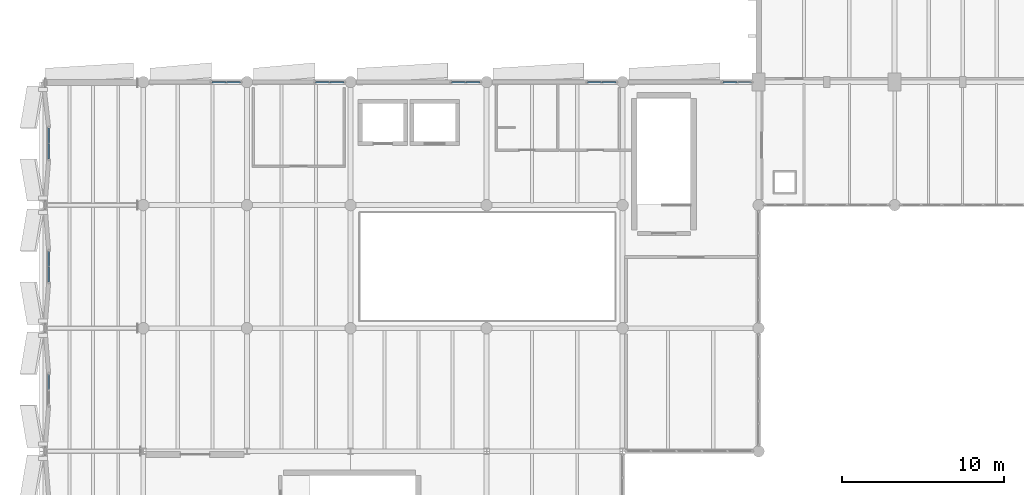
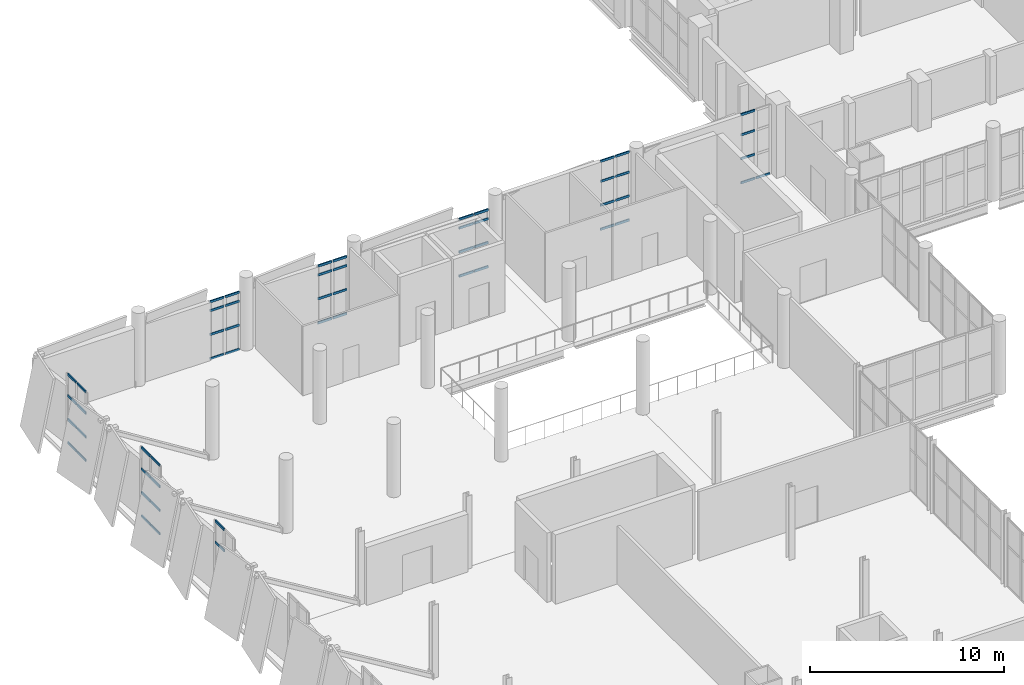
# One storey, part 47 of 74: 55 members, 8 elements without a shape of their own.
"""IFC4 building model written with IfcOpenShell, lengths in metres."""

import ifcopenshell
import ifcopenshell.guid

model = None  # the IFC model being written
_history = None  # IfcOwnerHistory: only IFC2X3 demands one
_inside = {}  # id of a spatial element -> (the spatial element, [elements in it])
_under = {}  # id of a project, library or spatial element -> (it, [spatial elements below it])
_declared = {}  # id of a project -> (the project, [libraries it declares])
_typed = {}  # id of a type object -> (the type object, [elements of that type])
_made_of = {}  # id of a material, layer set ... -> (it, [elements and type objects made of it])


def new_model(schema):
    """Start an empty IFC model of exactly this schema.

    Asked for "IFC4X3", IfcOpenShell would pick the latest addendum, in which some entities
    have other attributes; the version numbers below select the first issue.
    IFC2X3 requires an IfcOwnerHistory on every rooted entity: one is made here for all.
    """
    global model, _history
    if schema == "IFC4X3":
        model = ifcopenshell.file(schema_version=(4, 3, 0, 0))
    else:
        model = ifcopenshell.file(schema=schema)
    _inside.clear()
    _under.clear()
    _declared.clear()
    _typed.clear()
    _made_of.clear()
    _history = None
    if model.schema == "IFC2X3":
        org = make("IfcOrganization", Name="unknown")
        user = make(
            "IfcPersonAndOrganization",
            ThePerson=make("IfcPerson", FamilyName="unknown"),
            TheOrganization=org,
        )
        app = make(
            "IfcApplication",
            ApplicationDeveloper=org,
            Version="unknown",
            ApplicationFullName="unknown",
            ApplicationIdentifier="unknown",
        )
        _history = make(
            "IfcOwnerHistory",
            OwningUser=user,
            OwningApplication=app,
            ChangeAction="ADDED",
            CreationDate=0,
        )
    return model


def make(cls, **values):
    """One entity of the class cls with the attributes given. An attribute that is None is left unset."""
    return model.create_entity(
        cls, **{name: value for name, value in values.items() if value is not None}
    )


def rooted(cls, **values):
    """An entity with a GlobalId (a new one), such as an element, a storey or a relation."""
    return make(cls, GlobalId=ifcopenshell.guid.new(), OwnerHistory=_history, **values)


def si_unit(unit_type, name, prefix=None):
    """IfcSIUnit, for example si_unit("LENGTHUNIT", "METRE", prefix="MILLI")."""
    return make("IfcSIUnit", UnitType=unit_type, Prefix=prefix, Name=name)


def assignment(units):
    """IfcUnitAssignment: the units of a project."""
    return None if units is None else make("IfcUnitAssignment", Units=units)


def point(xyz):
    """IfcCartesianPoint."""
    return None if xyz is None else make("IfcCartesianPoint", Coordinates=xyz)


def direction(xyz):
    """IfcDirection."""
    return None if xyz is None else make("IfcDirection", DirectionRatios=xyz)


def frame(location, z_axis=None, x_axis=None):
    """IfcAxis2Placement3D, a coordinate frame: its origin and axes. An axis left out is left unset."""
    return make(
        "IfcAxis2Placement3D",
        Location=point(location),
        Axis=direction(z_axis),
        RefDirection=direction(x_axis),
    )


def frame_2d(location, x_axis=None):
    """IfcAxis2Placement2D, a coordinate frame in the plane: its origin and x axis."""
    return make(
        "IfcAxis2Placement2D", Location=point(location), RefDirection=direction(x_axis)
    )


def origin():
    """The frame at (0, 0, 0) with its axes left unset."""
    return frame((0.0, 0.0, 0.0))


def origin_2d():
    """The frame at (0, 0) in the plane with its x axis left unset."""
    return frame_2d((0.0, 0.0))


def place(relative_to, where):
    """IfcLocalPlacement: puts the frame where relative to a parent placement (None: the world)."""
    return make(
        "IfcLocalPlacement", PlacementRelTo=relative_to, RelativePlacement=where
    )


def context(
    kind, dimensions, precision=None, world=None, true_north=None, identifier=None
):
    """IfcGeometricRepresentationContext, for example the 3D "Model" context."""
    return make(
        "IfcGeometricRepresentationContext",
        ContextIdentifier=identifier,
        ContextType=kind,
        CoordinateSpaceDimension=dimensions,
        Precision=precision,
        WorldCoordinateSystem=world,
        TrueNorth=true_north,
    )


def subcontext(parent, identifier, kind, view, scale=None):
    """IfcGeometricRepresentationSubContext, for example "Body" below "Model"."""
    return make(
        "IfcGeometricRepresentationSubContext",
        ContextIdentifier=identifier,
        ContextType=kind,
        ParentContext=parent,
        TargetScale=scale,
        TargetView=view,
    )


def project(units=None, contexts=None):
    """IfcProject with its units and contexts."""
    return rooted(
        "IfcProject",
        Name="project",
        RepresentationContexts=contexts,
        UnitsInContext=assignment(units),
    )


def spatial(cls, under=None, at=None, **own):
    """A site, building, storey or space (cls), placed at a placement, below another one or the project."""
    s = rooted(cls, ObjectPlacement=at, **own)
    if under is not None:
        _under.setdefault(under.id(), (under, []))[1].append(s)
    return s


def profile(cls, at=None, kind="AREA", **sizes):
    """A parametric profile (cls). Its sizes go by their IFC names, for example OverallWidth=200.0."""
    return make(cls, ProfileType=kind, Position=at, **sizes)


def hollow_rectangle(**sizes):
    """IfcRectangleHollowProfileDef."""
    return profile("IfcRectangleHollowProfileDef", **sizes)


def extrude(swept, where, along, depth):
    """IfcExtrudedAreaSolid: the profile swept, set in the frame where, extruded along a direction by depth."""
    return make(
        "IfcExtrudedAreaSolid",
        SweptArea=swept,
        Position=where,
        ExtrudedDirection=direction(along),
        Depth=depth,
    )


def shape(context_of_items, identifier, shape_type, items):
    """IfcShapeRepresentation: the items that make up one representation, for example the "Body"."""
    return make(
        "IfcShapeRepresentation",
        ContextOfItems=context_of_items,
        RepresentationIdentifier=identifier,
        RepresentationType=shape_type,
        Items=items,
    )


def material(Name=None, Category=None):
    """IfcMaterial."""
    return make("IfcMaterial", Name=Name, Category=Category)


def material_profile(
    of_material, cross_section, Name=None, Category=None, Priority=None
):
    """IfcMaterialProfile: a cross section and its material."""
    return make(
        "IfcMaterialProfile",
        Name=Name,
        Material=of_material,
        Profile=cross_section,
        Priority=Priority,
        Category=Category,
    )


def profile_set(profiles, Name=None, composite=None):
    """IfcMaterialProfileSet."""
    return make(
        "IfcMaterialProfileSet",
        Name=Name,
        MaterialProfiles=profiles,
        CompositeProfile=composite,
    )


def made_of(thing, what):
    """Note that an element or type object is made of a material, layer set ...; save() writes the relation."""
    if what is not None:
        _made_of.setdefault(what.id(), (what, []))[1].append(thing)
    return thing


def type_object(cls, material=None, **own):
    """A type object (cls), such as IfcWallType, which elements share."""
    return made_of(rooted(cls, **own), material)


def element(
    cls,
    number,
    at=None,
    inside=None,
    cuts=None,
    type_object=None,
    material=None,
    context=None,
    identifier="Body",
    shape_type=None,
    held_by="IfcProductDefinitionShape",
    body=None,
    shapes=None,
    **own,
):
    """One element of the class cls, such as IfcWall. Its Tag is "e" and its number.

    at: its placement. inside: the storey or other place that contains it. cuts: it is an
    opening in that element (IfcRelVoidsElement). A single representation is given by context,
    identifier, shape_type and body (its items); several are given by shapes. held_by: the class
    of the entity that holds the representations. save() writes the other relations.
    """
    e = rooted(cls, Tag="e%d" % number, ObjectPlacement=at, **own)
    if body is not None:
        shapes = [shape(context, identifier, shape_type, body)]
    if shapes is not None:
        e.Representation = make(held_by, Representations=shapes)
    if inside is not None:
        _inside.setdefault(inside.id(), (inside, []))[1].append(e)
    if cuts is not None:
        rooted(
            "IfcRelVoidsElement", RelatingBuildingElement=cuts, RelatedOpeningElement=e
        )
    if type_object is not None:
        _typed.setdefault(type_object.id(), (type_object, []))[1].append(e)
    return made_of(e, material)


def aggregate(whole, parts):
    """IfcRelAggregates: a whole, such as a stair, and the parts it consists of."""
    return rooted("IfcRelAggregates", RelatingObject=whole, RelatedObjects=parts)


def save(model, path):
    """Write the relations noted so far, then the file.

    IfcRelAggregates (storeys below a building ...), IfcRelContainedInSpatialStructure (elements
    in a storey), IfcRelDefinesByType, IfcRelAssociatesMaterial and IfcRelDeclares: one each for
    every whole, place, type object, material and project.
    """
    for whole, parts in _under.values():
        aggregate(whole, parts)
    for where, things in _inside.values():
        rooted(
            "IfcRelContainedInSpatialStructure",
            RelatedElements=things,
            RelatingStructure=where,
        )
    for kind, things in _typed.values():
        rooted("IfcRelDefinesByType", RelatedObjects=things, RelatingType=kind)
    for what, things in _made_of.values():
        rooted("IfcRelAssociatesMaterial", RelatedObjects=things, RelatingMaterial=what)
    for by, libraries in _declared.values():
        rooted("IfcRelDeclares", RelatingContext=by, RelatedDefinitions=libraries)
    model.write(path)


model = new_model("IFC4")

# Units and contexts
model_context = context("Model", 3, precision=1e-05, world=origin(), true_north=direction((0.0, 1.0)))
body_context = subcontext(model_context, "Body", "Model", "MODEL_VIEW")
ifc_project = project(units=[si_unit("LENGTHUNIT", "METRE"), si_unit("AREAUNIT", "SQUARE_METRE"), si_unit("VOLUMEUNIT", "CUBIC_METRE"), si_unit("PLANEANGLEUNIT", "RADIAN"), si_unit("MASSUNIT", "GRAM", prefix="KILO")], contexts=[model_context])

# Site, building, storey
site_placement = place(None, origin())
site = spatial("IfcSite", under=ifc_project, at=site_placement, CompositionType="ELEMENT")
building_placement = place(site_placement, origin())
building = spatial("IfcBuilding", under=site, at=building_placement, Name="Shengluoqiao Park Theatre", CompositionType="ELEMENT")
storey_placement = place(building_placement, frame((0.0, 0.0, 14.60009765625)))
storey = spatial("IfcBuildingStorey", under=building, at=storey_placement, Name="L03", CompositionType="ELEMENT", Elevation=14.60009765625)

# Curtain wall, members
ifc_material = material(Name="Aluminium 6063-T6", Category="aluminium")
curtain_wall_type = type_object("IfcCurtainWallType", Name="ENV-CW-FOYER", PredefinedType="NOTDEFINED", material=ifc_material)
curtain_wall_1_placement = place(storey_placement, origin())
curtain_wall_1 = element("IfcCurtainWall", 1, at=curtain_wall_1_placement, inside=storey, type_object=curtain_wall_type, Name="L03 Curtain Wall CW-L03-0076", PredefinedType="NOTDEFINED")
ifc_material_profile = material_profile(ifc_material, hollow_rectangle(XDim=0.06494140625, YDim=0.14990234375, WallThickness=0.00390625, InnerFilletRadius=0.00390625, OuterFilletRadius=0.008056640625, at=origin_2d()), Name="ALU TRANSOM 150x65x4")
ifc_profile_set = profile_set([ifc_material_profile], Name="Aluminium 6063-T6")
member_type = type_object("IfcMemberType", Name="ENV-TRN-150", PredefinedType="USERDEFINED", material=ifc_profile_set)
member_1_placement = place(storey_placement, frame((10.65087890625, 76.0, 0.032470703125), z_axis=(1.0, 0.0, 0.0), x_axis=(0.0, 1.0, 0.0)))
member_1 = element("IfcMember", 2, at=member_1_placement, type_object=member_type, Name="CW-01 transom 1.1", ObjectType="TRANSOM", PredefinedType="USERDEFINED", context=body_context, shape_type="SweptSolid", body=[
    extrude(hollow_rectangle(XDim=0.06494140625, YDim=0.14990234375, WallThickness=0.00390625, InnerFilletRadius=0.00390625, OuterFilletRadius=0.008056640625, at=origin_2d()), origin(), (0.0, 0.0, 1.0), 0.83251953125),
])
member_2_placement = place(storey_placement, frame((10.65087890625, 76.0, 1.5498046875), z_axis=(1.0, 0.0, 0.0), x_axis=(0.0, 1.0, 0.0)))
member_2 = element("IfcMember", 3, at=member_2_placement, type_object=member_type, Name="CW-01 transom 1.2", ObjectType="TRANSOM", PredefinedType="USERDEFINED", context=body_context, shape_type="SweptSolid", body=[
    extrude(hollow_rectangle(XDim=0.06494140625, YDim=0.14990234375, WallThickness=0.00390625, InnerFilletRadius=0.00390625, OuterFilletRadius=0.008056640625, at=origin_2d()), origin(), (0.0, 0.0, 1.0), 0.83251953125),
])
member_3_placement = place(storey_placement, frame((10.65087890625, 76.0, 3.0498046875), z_axis=(1.0, 0.0, 0.0), x_axis=(0.0, 1.0, 0.0)))
member_3 = element("IfcMember", 4, at=member_3_placement, type_object=member_type, Name="CW-01 transom 1.3", ObjectType="TRANSOM", PredefinedType="USERDEFINED", context=body_context, shape_type="SweptSolid", body=[
    extrude(hollow_rectangle(XDim=0.06494140625, YDim=0.14990234375, WallThickness=0.00390625, InnerFilletRadius=0.00390625, OuterFilletRadius=0.008056640625, at=origin_2d()), origin(), (0.0, 0.0, 1.0), 0.83251953125),
])
member_4_placement = place(storey_placement, frame((10.65087890625, 76.0, 3.60546875), z_axis=(1.0, 0.0, 0.0), x_axis=(0.0, 1.0, 0.0)))
member_4 = element("IfcMember", 5, at=member_4_placement, type_object=member_type, Name="CW-01 transom 1.4", ObjectType="TRANSOM", PredefinedType="USERDEFINED", context=body_context, shape_type="SweptSolid", body=[
    extrude(hollow_rectangle(XDim=0.06494140625, YDim=0.14990234375, WallThickness=0.00390625, InnerFilletRadius=0.00390625, OuterFilletRadius=0.008056640625, at=origin_2d()), origin(), (0.0, 0.0, 1.0), 0.83251953125),
])
member_5_placement = place(storey_placement, frame((11.548583984375, 76.0, 0.032470703125), z_axis=(1.0, 0.0, 0.0), x_axis=(0.0, 1.0, 0.0)))
member_5 = element("IfcMember", 6, at=member_5_placement, type_object=member_type, Name="CW-01 transom 2.1", ObjectType="TRANSOM", PredefinedType="USERDEFINED", context=body_context, shape_type="SweptSolid", body=[
    extrude(hollow_rectangle(XDim=0.06494140625, YDim=0.14990234375, WallThickness=0.00390625, InnerFilletRadius=0.00390625, OuterFilletRadius=0.008056640625, at=origin_2d()), origin(), (0.0, 0.0, 1.0), 0.83251953125),
])
member_6_placement = place(storey_placement, frame((11.548583984375, 76.0, 1.5498046875), z_axis=(1.0, 0.0, 0.0), x_axis=(0.0, 1.0, 0.0)))
member_6 = element("IfcMember", 7, at=member_6_placement, type_object=member_type, Name="CW-01 transom 2.2", ObjectType="TRANSOM", PredefinedType="USERDEFINED", context=body_context, shape_type="SweptSolid", body=[
    extrude(hollow_rectangle(XDim=0.06494140625, YDim=0.14990234375, WallThickness=0.00390625, InnerFilletRadius=0.00390625, OuterFilletRadius=0.008056640625, at=origin_2d()), origin(), (0.0, 0.0, 1.0), 0.83251953125),
])
member_7_placement = place(storey_placement, frame((11.548583984375, 76.0, 3.0498046875), z_axis=(1.0, 0.0, 0.0), x_axis=(0.0, 1.0, 0.0)))
member_7 = element("IfcMember", 8, at=member_7_placement, type_object=member_type, Name="CW-01 transom 2.3", ObjectType="TRANSOM", PredefinedType="USERDEFINED", context=body_context, shape_type="SweptSolid", body=[
    extrude(hollow_rectangle(XDim=0.06494140625, YDim=0.14990234375, WallThickness=0.00390625, InnerFilletRadius=0.00390625, OuterFilletRadius=0.008056640625, at=origin_2d()), origin(), (0.0, 0.0, 1.0), 0.83251953125),
])
member_8_placement = place(storey_placement, frame((11.548583984375, 76.0, 3.60546875), z_axis=(1.0, 0.0, 0.0), x_axis=(0.0, 1.0, 0.0)))
member_8 = element("IfcMember", 9, at=member_8_placement, type_object=member_type, Name="CW-01 transom 2.4", ObjectType="TRANSOM", PredefinedType="USERDEFINED", context=body_context, shape_type="SweptSolid", body=[
    extrude(hollow_rectangle(XDim=0.06494140625, YDim=0.14990234375, WallThickness=0.00390625, InnerFilletRadius=0.00390625, OuterFilletRadius=0.008056640625, at=origin_2d()), origin(), (0.0, 0.0, 1.0), 0.83251953125),
])
aggregate(curtain_wall_1, [member_1, member_2, member_3, member_4, member_5, member_6, member_7, member_8])

curtain_wall_2_placement = place(storey_placement, origin())
curtain_wall_2 = element("IfcCurtainWall", 10, at=curtain_wall_2_placement, inside=storey, type_object=curtain_wall_type, Name="L03 Curtain Wall CW-L03-0077", PredefinedType="NOTDEFINED")
member_9_placement = place(storey_placement, frame((17.051025390625, 76.0, 0.032470703125), z_axis=(1.0, 0.0, 0.0), x_axis=(0.0, 1.0, 0.0)))
member_9 = element("IfcMember", 11, at=member_9_placement, type_object=member_type, Name="CW-01 transom 1.1", ObjectType="TRANSOM", PredefinedType="USERDEFINED", context=body_context, shape_type="SweptSolid", body=[
    extrude(hollow_rectangle(XDim=0.06494140625, YDim=0.14990234375, WallThickness=0.00390625, InnerFilletRadius=0.00390625, OuterFilletRadius=0.008056640625, at=origin_2d()), origin(), (0.0, 0.0, 1.0), 0.83251953125),
])
member_10_placement = place(storey_placement, frame((17.051025390625, 76.0, 1.5498046875), z_axis=(1.0, 0.0, 0.0), x_axis=(0.0, 1.0, 0.0)))
member_10 = element("IfcMember", 12, at=member_10_placement, type_object=member_type, Name="CW-01 transom 1.2", ObjectType="TRANSOM", PredefinedType="USERDEFINED", context=body_context, shape_type="SweptSolid", body=[
    extrude(hollow_rectangle(XDim=0.06494140625, YDim=0.14990234375, WallThickness=0.00390625, InnerFilletRadius=0.00390625, OuterFilletRadius=0.008056640625, at=origin_2d()), origin(), (0.0, 0.0, 1.0), 0.83251953125),
])
member_11_placement = place(storey_placement, frame((17.051025390625, 76.0, 3.0498046875), z_axis=(1.0, 0.0, 0.0), x_axis=(0.0, 1.0, 0.0)))
member_11 = element("IfcMember", 13, at=member_11_placement, type_object=member_type, Name="CW-01 transom 1.3", ObjectType="TRANSOM", PredefinedType="USERDEFINED", context=body_context, shape_type="SweptSolid", body=[
    extrude(hollow_rectangle(XDim=0.06494140625, YDim=0.14990234375, WallThickness=0.00390625, InnerFilletRadius=0.00390625, OuterFilletRadius=0.008056640625, at=origin_2d()), origin(), (0.0, 0.0, 1.0), 0.83251953125),
])
member_12_placement = place(storey_placement, frame((17.051025390625, 76.0, 3.60546875), z_axis=(1.0, 0.0, 0.0), x_axis=(0.0, 1.0, 0.0)))
member_12 = element("IfcMember", 14, at=member_12_placement, type_object=member_type, Name="CW-01 transom 1.4", ObjectType="TRANSOM", PredefinedType="USERDEFINED", context=body_context, shape_type="SweptSolid", body=[
    extrude(hollow_rectangle(XDim=0.06494140625, YDim=0.14990234375, WallThickness=0.00390625, InnerFilletRadius=0.00390625, OuterFilletRadius=0.008056640625, at=origin_2d()), origin(), (0.0, 0.0, 1.0), 0.83251953125),
])
member_13_placement = place(storey_placement, frame((17.948486328125, 76.0, 0.032470703125), z_axis=(1.0, 0.0, 0.0), x_axis=(0.0, 1.0, 0.0)))
member_13 = element("IfcMember", 15, at=member_13_placement, type_object=member_type, Name="CW-01 transom 2.1", ObjectType="TRANSOM", PredefinedType="USERDEFINED", context=body_context, shape_type="SweptSolid", body=[
    extrude(hollow_rectangle(XDim=0.06494140625, YDim=0.14990234375, WallThickness=0.00390625, InnerFilletRadius=0.00390625, OuterFilletRadius=0.008056640625, at=origin_2d()), origin(), (0.0, 0.0, 1.0), 0.83251953125),
])
member_14_placement = place(storey_placement, frame((17.948486328125, 76.0, 1.5498046875), z_axis=(1.0, 0.0, 0.0), x_axis=(0.0, 1.0, 0.0)))
member_14 = element("IfcMember", 16, at=member_14_placement, type_object=member_type, Name="CW-01 transom 2.2", ObjectType="TRANSOM", PredefinedType="USERDEFINED", context=body_context, shape_type="SweptSolid", body=[
    extrude(hollow_rectangle(XDim=0.06494140625, YDim=0.14990234375, WallThickness=0.00390625, InnerFilletRadius=0.00390625, OuterFilletRadius=0.008056640625, at=origin_2d()), origin(), (0.0, 0.0, 1.0), 0.83251953125),
])
member_15_placement = place(storey_placement, frame((17.948486328125, 76.0, 3.0498046875), z_axis=(1.0, 0.0, 0.0), x_axis=(0.0, 1.0, 0.0)))
member_15 = element("IfcMember", 17, at=member_15_placement, type_object=member_type, Name="CW-01 transom 2.3", ObjectType="TRANSOM", PredefinedType="USERDEFINED", context=body_context, shape_type="SweptSolid", body=[
    extrude(hollow_rectangle(XDim=0.06494140625, YDim=0.14990234375, WallThickness=0.00390625, InnerFilletRadius=0.00390625, OuterFilletRadius=0.008056640625, at=origin_2d()), origin(), (0.0, 0.0, 1.0), 0.83251953125),
])
member_16_placement = place(storey_placement, frame((17.948486328125, 76.0, 3.60546875), z_axis=(1.0, 0.0, 0.0), x_axis=(0.0, 1.0, 0.0)))
member_16 = element("IfcMember", 18, at=member_16_placement, type_object=member_type, Name="CW-01 transom 2.4", ObjectType="TRANSOM", PredefinedType="USERDEFINED", context=body_context, shape_type="SweptSolid", body=[
    extrude(hollow_rectangle(XDim=0.06494140625, YDim=0.14990234375, WallThickness=0.00390625, InnerFilletRadius=0.00390625, OuterFilletRadius=0.008056640625, at=origin_2d()), origin(), (0.0, 0.0, 1.0), 0.83251953125),
])
aggregate(curtain_wall_2, [member_9, member_10, member_11, member_12, member_13, member_14, member_15, member_16])

curtain_wall_3_placement = place(storey_placement, origin())
curtain_wall_3 = element("IfcCurtainWall", 19, at=curtain_wall_3_placement, inside=storey, type_object=curtain_wall_type, Name="L03 Curtain Wall CW-L03-0078", PredefinedType="NOTDEFINED")
member_17_placement = place(storey_placement, frame((25.450927734375, 76.0, 0.032470703125), z_axis=(1.0, 0.0, 0.0), x_axis=(0.0, 1.0, 0.0)))
member_17 = element("IfcMember", 20, at=member_17_placement, type_object=member_type, Name="CW-01 transom 1.1", ObjectType="TRANSOM", PredefinedType="USERDEFINED", context=body_context, shape_type="SweptSolid", body=[
    extrude(hollow_rectangle(XDim=0.06494140625, YDim=0.14990234375, WallThickness=0.00390625, InnerFilletRadius=0.00390625, OuterFilletRadius=0.008056640625, at=origin_2d()), origin(), (0.0, 0.0, 1.0), 0.83251953125),
])
member_18_placement = place(storey_placement, frame((25.450927734375, 76.0, 1.5498046875), z_axis=(1.0, 0.0, 0.0), x_axis=(0.0, 1.0, 0.0)))
member_18 = element("IfcMember", 21, at=member_18_placement, type_object=member_type, Name="CW-01 transom 1.2", ObjectType="TRANSOM", PredefinedType="USERDEFINED", context=body_context, shape_type="SweptSolid", body=[
    extrude(hollow_rectangle(XDim=0.06494140625, YDim=0.14990234375, WallThickness=0.00390625, InnerFilletRadius=0.00390625, OuterFilletRadius=0.008056640625, at=origin_2d()), origin(), (0.0, 0.0, 1.0), 0.83251953125),
])
member_19_placement = place(storey_placement, frame((25.450927734375, 76.0, 3.0498046875), z_axis=(1.0, 0.0, 0.0), x_axis=(0.0, 1.0, 0.0)))
member_19 = element("IfcMember", 22, at=member_19_placement, type_object=member_type, Name="CW-01 transom 1.3", ObjectType="TRANSOM", PredefinedType="USERDEFINED", context=body_context, shape_type="SweptSolid", body=[
    extrude(hollow_rectangle(XDim=0.06494140625, YDim=0.14990234375, WallThickness=0.00390625, InnerFilletRadius=0.00390625, OuterFilletRadius=0.008056640625, at=origin_2d()), origin(), (0.0, 0.0, 1.0), 0.83251953125),
])
member_20_placement = place(storey_placement, frame((25.450927734375, 76.0, 3.60546875), z_axis=(1.0, 0.0, 0.0), x_axis=(0.0, 1.0, 0.0)))
member_20 = element("IfcMember", 23, at=member_20_placement, type_object=member_type, Name="CW-01 transom 1.4", ObjectType="TRANSOM", PredefinedType="USERDEFINED", context=body_context, shape_type="SweptSolid", body=[
    extrude(hollow_rectangle(XDim=0.06494140625, YDim=0.14990234375, WallThickness=0.00390625, InnerFilletRadius=0.00390625, OuterFilletRadius=0.008056640625, at=origin_2d()), origin(), (0.0, 0.0, 1.0), 0.83251953125),
])
member_21_placement = place(storey_placement, frame((26.348388671875, 76.0, 0.032470703125), z_axis=(1.0, 0.0, 0.0), x_axis=(0.0, 1.0, 0.0)))
member_21 = element("IfcMember", 24, at=member_21_placement, type_object=member_type, Name="CW-01 transom 2.1", ObjectType="TRANSOM", PredefinedType="USERDEFINED", context=body_context, shape_type="SweptSolid", body=[
    extrude(hollow_rectangle(XDim=0.06494140625, YDim=0.14990234375, WallThickness=0.00390625, InnerFilletRadius=0.00390625, OuterFilletRadius=0.008056640625, at=origin_2d()), origin(), (0.0, 0.0, 1.0), 0.83251953125),
])
member_22_placement = place(storey_placement, frame((26.348388671875, 76.0, 1.5498046875), z_axis=(1.0, 0.0, 0.0), x_axis=(0.0, 1.0, 0.0)))
member_22 = element("IfcMember", 25, at=member_22_placement, type_object=member_type, Name="CW-01 transom 2.2", ObjectType="TRANSOM", PredefinedType="USERDEFINED", context=body_context, shape_type="SweptSolid", body=[
    extrude(hollow_rectangle(XDim=0.06494140625, YDim=0.14990234375, WallThickness=0.00390625, InnerFilletRadius=0.00390625, OuterFilletRadius=0.008056640625, at=origin_2d()), origin(), (0.0, 0.0, 1.0), 0.83251953125),
])
member_23_placement = place(storey_placement, frame((26.348388671875, 76.0, 3.0498046875), z_axis=(1.0, 0.0, 0.0), x_axis=(0.0, 1.0, 0.0)))
member_23 = element("IfcMember", 26, at=member_23_placement, type_object=member_type, Name="CW-01 transom 2.3", ObjectType="TRANSOM", PredefinedType="USERDEFINED", context=body_context, shape_type="SweptSolid", body=[
    extrude(hollow_rectangle(XDim=0.06494140625, YDim=0.14990234375, WallThickness=0.00390625, InnerFilletRadius=0.00390625, OuterFilletRadius=0.008056640625, at=origin_2d()), origin(), (0.0, 0.0, 1.0), 0.83251953125),
])
member_24_placement = place(storey_placement, frame((26.348388671875, 76.0, 3.60546875), z_axis=(1.0, 0.0, 0.0), x_axis=(0.0, 1.0, 0.0)))
member_24 = element("IfcMember", 27, at=member_24_placement, type_object=member_type, Name="CW-01 transom 2.4", ObjectType="TRANSOM", PredefinedType="USERDEFINED", context=body_context, shape_type="SweptSolid", body=[
    extrude(hollow_rectangle(XDim=0.06494140625, YDim=0.14990234375, WallThickness=0.00390625, InnerFilletRadius=0.00390625, OuterFilletRadius=0.008056640625, at=origin_2d()), origin(), (0.0, 0.0, 1.0), 0.83251953125),
])
aggregate(curtain_wall_3, [member_17, member_18, member_19, member_20, member_21, member_22, member_23, member_24])

curtain_wall_4_placement = place(storey_placement, origin())
curtain_wall_4 = element("IfcCurtainWall", 28, at=curtain_wall_4_placement, inside=storey, type_object=curtain_wall_type, Name="L03 Curtain Wall CW-L03-0079", PredefinedType="NOTDEFINED")
member_25_placement = place(storey_placement, frame((33.85107421875, 76.0, 0.032470703125), z_axis=(1.0, 0.0, 0.0), x_axis=(0.0, 1.0, 0.0)))
member_25 = element("IfcMember", 29, at=member_25_placement, type_object=member_type, Name="CW-01 transom 1.1", ObjectType="TRANSOM", PredefinedType="USERDEFINED", context=body_context, shape_type="SweptSolid", body=[
    extrude(hollow_rectangle(XDim=0.06494140625, YDim=0.14990234375, WallThickness=0.00390625, InnerFilletRadius=0.00390625, OuterFilletRadius=0.008056640625, at=origin_2d()), origin(), (0.0, 0.0, 1.0), 0.83251953125),
])
member_26_placement = place(storey_placement, frame((33.85107421875, 76.0, 1.5498046875), z_axis=(1.0, 0.0, 0.0), x_axis=(0.0, 1.0, 0.0)))
member_26 = element("IfcMember", 30, at=member_26_placement, type_object=member_type, Name="CW-01 transom 1.2", ObjectType="TRANSOM", PredefinedType="USERDEFINED", context=body_context, shape_type="SweptSolid", body=[
    extrude(hollow_rectangle(XDim=0.06494140625, YDim=0.14990234375, WallThickness=0.00390625, InnerFilletRadius=0.00390625, OuterFilletRadius=0.008056640625, at=origin_2d()), origin(), (0.0, 0.0, 1.0), 0.83251953125),
])
member_27_placement = place(storey_placement, frame((33.85107421875, 76.0, 3.0498046875), z_axis=(1.0, 0.0, 0.0), x_axis=(0.0, 1.0, 0.0)))
member_27 = element("IfcMember", 31, at=member_27_placement, type_object=member_type, Name="CW-01 transom 1.3", ObjectType="TRANSOM", PredefinedType="USERDEFINED", context=body_context, shape_type="SweptSolid", body=[
    extrude(hollow_rectangle(XDim=0.06494140625, YDim=0.14990234375, WallThickness=0.00390625, InnerFilletRadius=0.00390625, OuterFilletRadius=0.008056640625, at=origin_2d()), origin(), (0.0, 0.0, 1.0), 0.83251953125),
])
member_28_placement = place(storey_placement, frame((33.85107421875, 76.0, 4.307373046875), z_axis=(1.0, 0.0, 0.0), x_axis=(0.0, 1.0, 0.0)))
member_28 = element("IfcMember", 32, at=member_28_placement, type_object=member_type, Name="CW-01 transom 1.4", ObjectType="TRANSOM", PredefinedType="USERDEFINED", context=body_context, shape_type="SweptSolid", body=[
    extrude(hollow_rectangle(XDim=0.06494140625, YDim=0.14990234375, WallThickness=0.00390625, InnerFilletRadius=0.00390625, OuterFilletRadius=0.008056640625, at=origin_2d()), origin(), (0.0, 0.0, 1.0), 0.83251953125),
])
member_29_placement = place(storey_placement, frame((34.74853515625, 76.0, 0.032470703125), z_axis=(1.0, 0.0, 0.0), x_axis=(0.0, 1.0, 0.0)))
member_29 = element("IfcMember", 33, at=member_29_placement, type_object=member_type, Name="CW-01 transom 2.1", ObjectType="TRANSOM", PredefinedType="USERDEFINED", context=body_context, shape_type="SweptSolid", body=[
    extrude(hollow_rectangle(XDim=0.06494140625, YDim=0.14990234375, WallThickness=0.00390625, InnerFilletRadius=0.00390625, OuterFilletRadius=0.008056640625, at=origin_2d()), origin(), (0.0, 0.0, 1.0), 0.83251953125),
])
member_30_placement = place(storey_placement, frame((34.74853515625, 76.0, 1.5498046875), z_axis=(1.0, 0.0, 0.0), x_axis=(0.0, 1.0, 0.0)))
member_30 = element("IfcMember", 34, at=member_30_placement, type_object=member_type, Name="CW-01 transom 2.2", ObjectType="TRANSOM", PredefinedType="USERDEFINED", context=body_context, shape_type="SweptSolid", body=[
    extrude(hollow_rectangle(XDim=0.06494140625, YDim=0.14990234375, WallThickness=0.00390625, InnerFilletRadius=0.00390625, OuterFilletRadius=0.008056640625, at=origin_2d()), origin(), (0.0, 0.0, 1.0), 0.83251953125),
])
member_31_placement = place(storey_placement, frame((34.74853515625, 76.0, 3.0498046875), z_axis=(1.0, 0.0, 0.0), x_axis=(0.0, 1.0, 0.0)))
member_31 = element("IfcMember", 35, at=member_31_placement, type_object=member_type, Name="CW-01 transom 2.3", ObjectType="TRANSOM", PredefinedType="USERDEFINED", context=body_context, shape_type="SweptSolid", body=[
    extrude(hollow_rectangle(XDim=0.06494140625, YDim=0.14990234375, WallThickness=0.00390625, InnerFilletRadius=0.00390625, OuterFilletRadius=0.008056640625, at=origin_2d()), origin(), (0.0, 0.0, 1.0), 0.83251953125),
])
member_32_placement = place(storey_placement, frame((34.74853515625, 76.0, 4.307373046875), z_axis=(1.0, 0.0, 0.0), x_axis=(0.0, 1.0, 0.0)))
member_32 = element("IfcMember", 36, at=member_32_placement, type_object=member_type, Name="CW-01 transom 2.4", ObjectType="TRANSOM", PredefinedType="USERDEFINED", context=body_context, shape_type="SweptSolid", body=[
    extrude(hollow_rectangle(XDim=0.06494140625, YDim=0.14990234375, WallThickness=0.00390625, InnerFilletRadius=0.00390625, OuterFilletRadius=0.008056640625, at=origin_2d()), origin(), (0.0, 0.0, 1.0), 0.83251953125),
])
aggregate(curtain_wall_4, [member_25, member_26, member_27, member_28, member_29, member_30, member_31, member_32])

curtain_wall_5_placement = place(storey_placement, origin())
curtain_wall_5 = element("IfcCurtainWall", 37, at=curtain_wall_5_placement, inside=storey, type_object=curtain_wall_type, Name="L03 Curtain Wall CW-L03-0080", PredefinedType="NOTDEFINED")
member_33_placement = place(storey_placement, frame((42.200927734375, 76.0, 0.032470703125), z_axis=(1.0, 0.0, 0.0), x_axis=(0.0, 1.0, 0.0)))
member_33 = element("IfcMember", 38, at=member_33_placement, type_object=member_type, Name="CW-01 transom 1.1", ObjectType="TRANSOM", PredefinedType="USERDEFINED", context=body_context, shape_type="SweptSolid", body=[
    extrude(hollow_rectangle(XDim=0.06494140625, YDim=0.14990234375, WallThickness=0.00390625, InnerFilletRadius=0.00390625, OuterFilletRadius=0.008056640625, at=origin_2d()), origin(), (0.0, 0.0, 1.0), 0.83251953125),
])
member_34_placement = place(storey_placement, frame((42.200927734375, 76.0, 1.5498046875), z_axis=(1.0, 0.0, 0.0), x_axis=(0.0, 1.0, 0.0)))
member_34 = element("IfcMember", 39, at=member_34_placement, type_object=member_type, Name="CW-01 transom 1.2", ObjectType="TRANSOM", PredefinedType="USERDEFINED", context=body_context, shape_type="SweptSolid", body=[
    extrude(hollow_rectangle(XDim=0.06494140625, YDim=0.14990234375, WallThickness=0.00390625, InnerFilletRadius=0.00390625, OuterFilletRadius=0.008056640625, at=origin_2d()), origin(), (0.0, 0.0, 1.0), 0.83251953125),
])
member_35_placement = place(storey_placement, frame((42.200927734375, 76.0, 3.0498046875), z_axis=(1.0, 0.0, 0.0), x_axis=(0.0, 1.0, 0.0)))
member_35 = element("IfcMember", 40, at=member_35_placement, type_object=member_type, Name="CW-01 transom 1.3", ObjectType="TRANSOM", PredefinedType="USERDEFINED", context=body_context, shape_type="SweptSolid", body=[
    extrude(hollow_rectangle(XDim=0.06494140625, YDim=0.14990234375, WallThickness=0.00390625, InnerFilletRadius=0.00390625, OuterFilletRadius=0.008056640625, at=origin_2d()), origin(), (0.0, 0.0, 1.0), 0.83251953125),
])
member_36_placement = place(storey_placement, frame((42.200927734375, 76.0, 4.307373046875), z_axis=(1.0, 0.0, 0.0), x_axis=(0.0, 1.0, 0.0)))
member_36 = element("IfcMember", 41, at=member_36_placement, type_object=member_type, Name="CW-01 transom 1.4", ObjectType="TRANSOM", PredefinedType="USERDEFINED", context=body_context, shape_type="SweptSolid", body=[
    extrude(hollow_rectangle(XDim=0.06494140625, YDim=0.14990234375, WallThickness=0.00390625, InnerFilletRadius=0.00390625, OuterFilletRadius=0.008056640625, at=origin_2d()), origin(), (0.0, 0.0, 1.0), 0.83251953125),
])
member_37_placement = place(storey_placement, frame((43.098388671875, 76.0, 0.032470703125), z_axis=(1.0, 0.0, 0.0), x_axis=(0.0, 1.0, 0.0)))
member_37 = element("IfcMember", 42, at=member_37_placement, type_object=member_type, Name="CW-01 transom 2.1", ObjectType="TRANSOM", PredefinedType="USERDEFINED", context=body_context, shape_type="SweptSolid", body=[
    extrude(hollow_rectangle(XDim=0.06494140625, YDim=0.14990234375, WallThickness=0.00390625, InnerFilletRadius=0.00390625, OuterFilletRadius=0.008056640625, at=origin_2d()), origin(), (0.0, 0.0, 1.0), 0.83251953125),
])
aggregate(curtain_wall_5, [member_33, member_34, member_35, member_36, member_37])

curtain_wall_6_placement = place(storey_placement, origin())
curtain_wall_6 = element("IfcCurtainWall", 43, at=curtain_wall_6_placement, inside=storey, type_object=curtain_wall_type, Name="L03 Curtain Wall CW-L03-SLIT-0247", PredefinedType="NOTDEFINED")
member_38_placement = place(storey_placement, frame((0.56005859375, 57.032470703125, 3.0), z_axis=(0.0, 1.0, 0.0), x_axis=(-1.0, 0.0, 0.0)))
member_38 = element("IfcMember", 44, at=member_38_placement, type_object=member_type, Name="CW-01 transom 2.3", ObjectType="TRANSOM", PredefinedType="USERDEFINED", context=body_context, shape_type="SweptSolid", body=[
    extrude(hollow_rectangle(XDim=0.06494140625, YDim=0.14990234375, WallThickness=0.00390625, InnerFilletRadius=0.00390625, OuterFilletRadius=0.008056640625, at=origin_2d()), origin(), (0.0, 0.0, 1.0), 0.902587890625),
])
member_39_placement = place(storey_placement, frame((0.56005859375, 57.032470703125, 4.327392578125), z_axis=(0.0, 1.0, 0.0), x_axis=(-1.0, 0.0, 0.0)))
member_39 = element("IfcMember", 45, at=member_39_placement, type_object=member_type, Name="CW-01 transom 2.4", ObjectType="TRANSOM", PredefinedType="USERDEFINED", context=body_context, shape_type="SweptSolid", body=[
    extrude(hollow_rectangle(XDim=0.06494140625, YDim=0.14990234375, WallThickness=0.00390625, InnerFilletRadius=0.00390625, OuterFilletRadius=0.008056640625, at=origin_2d()), origin(), (0.0, 0.0, 1.0), 0.902587890625),
])
aggregate(curtain_wall_6, [member_38, member_39])

curtain_wall_7_placement = place(storey_placement, origin())
curtain_wall_7 = element("IfcCurtainWall", 46, at=curtain_wall_7_placement, inside=storey, type_object=curtain_wall_type, Name="L03 Curtain Wall CW-L03-SLIT-0248", PredefinedType="NOTDEFINED")
member_40_placement = place(storey_placement, frame((0.56005859375, 63.6650390625, 0.032470703125), z_axis=(0.0, 1.0, 0.0), x_axis=(-1.0, 0.0, 0.0)))
member_40 = element("IfcMember", 47, at=member_40_placement, type_object=member_type, Name="CW-01 transom 1.1", ObjectType="TRANSOM", PredefinedType="USERDEFINED", context=body_context, shape_type="SweptSolid", body=[
    extrude(hollow_rectangle(XDim=0.06494140625, YDim=0.14990234375, WallThickness=0.00390625, InnerFilletRadius=0.00390625, OuterFilletRadius=0.008056640625, at=origin_2d()), origin(), (0.0, 0.0, 1.0), 0.90234375),
])
member_41_placement = place(storey_placement, frame((0.56005859375, 63.6650390625, 1.5), z_axis=(0.0, 1.0, 0.0), x_axis=(-1.0, 0.0, 0.0)))
member_41 = element("IfcMember", 48, at=member_41_placement, type_object=member_type, Name="CW-01 transom 1.2", ObjectType="TRANSOM", PredefinedType="USERDEFINED", context=body_context, shape_type="SweptSolid", body=[
    extrude(hollow_rectangle(XDim=0.06494140625, YDim=0.14990234375, WallThickness=0.00390625, InnerFilletRadius=0.00390625, OuterFilletRadius=0.008056640625, at=origin_2d()), origin(), (0.0, 0.0, 1.0), 0.90234375),
])
member_42_placement = place(storey_placement, frame((0.56005859375, 63.6650390625, 3.0), z_axis=(0.0, 1.0, 0.0), x_axis=(-1.0, 0.0, 0.0)))
member_42 = element("IfcMember", 49, at=member_42_placement, type_object=member_type, Name="CW-01 transom 1.3", ObjectType="TRANSOM", PredefinedType="USERDEFINED", context=body_context, shape_type="SweptSolid", body=[
    extrude(hollow_rectangle(XDim=0.06494140625, YDim=0.14990234375, WallThickness=0.00390625, InnerFilletRadius=0.00390625, OuterFilletRadius=0.008056640625, at=origin_2d()), origin(), (0.0, 0.0, 1.0), 0.90234375),
])
member_43_placement = place(storey_placement, frame((0.56005859375, 63.6650390625, 4.327392578125), z_axis=(0.0, 1.0, 0.0), x_axis=(-1.0, 0.0, 0.0)))
member_43 = element("IfcMember", 50, at=member_43_placement, type_object=member_type, Name="CW-01 transom 1.4", ObjectType="TRANSOM", PredefinedType="USERDEFINED", context=body_context, shape_type="SweptSolid", body=[
    extrude(hollow_rectangle(XDim=0.06494140625, YDim=0.14990234375, WallThickness=0.00390625, InnerFilletRadius=0.00390625, OuterFilletRadius=0.008056640625, at=origin_2d()), origin(), (0.0, 0.0, 1.0), 0.90234375),
])
member_44_placement = place(storey_placement, frame((0.56005859375, 64.632568359375, 0.032470703125), z_axis=(0.0, 1.0, 0.0), x_axis=(-1.0, 0.0, 0.0)))
member_44 = element("IfcMember", 51, at=member_44_placement, type_object=member_type, Name="CW-01 transom 2.1", ObjectType="TRANSOM", PredefinedType="USERDEFINED", context=body_context, shape_type="SweptSolid", body=[
    extrude(hollow_rectangle(XDim=0.06494140625, YDim=0.14990234375, WallThickness=0.00390625, InnerFilletRadius=0.00390625, OuterFilletRadius=0.008056640625, at=origin_2d()), origin(), (0.0, 0.0, 1.0), 0.90234375),
])
member_45_placement = place(storey_placement, frame((0.56005859375, 64.632568359375, 1.5), z_axis=(0.0, 1.0, 0.0), x_axis=(-1.0, 0.0, 0.0)))
member_45 = element("IfcMember", 52, at=member_45_placement, type_object=member_type, Name="CW-01 transom 2.2", ObjectType="TRANSOM", PredefinedType="USERDEFINED", context=body_context, shape_type="SweptSolid", body=[
    extrude(hollow_rectangle(XDim=0.06494140625, YDim=0.14990234375, WallThickness=0.00390625, InnerFilletRadius=0.00390625, OuterFilletRadius=0.008056640625, at=origin_2d()), origin(), (0.0, 0.0, 1.0), 0.90234375),
])
member_46_placement = place(storey_placement, frame((0.56005859375, 64.632568359375, 3.0), z_axis=(0.0, 1.0, 0.0), x_axis=(-1.0, 0.0, 0.0)))
member_46 = element("IfcMember", 53, at=member_46_placement, type_object=member_type, Name="CW-01 transom 2.3", ObjectType="TRANSOM", PredefinedType="USERDEFINED", context=body_context, shape_type="SweptSolid", body=[
    extrude(hollow_rectangle(XDim=0.06494140625, YDim=0.14990234375, WallThickness=0.00390625, InnerFilletRadius=0.00390625, OuterFilletRadius=0.008056640625, at=origin_2d()), origin(), (0.0, 0.0, 1.0), 0.90234375),
])
member_47_placement = place(storey_placement, frame((0.56005859375, 64.632568359375, 4.327392578125), z_axis=(0.0, 1.0, 0.0), x_axis=(-1.0, 0.0, 0.0)))
member_47 = element("IfcMember", 54, at=member_47_placement, type_object=member_type, Name="CW-01 transom 2.4", ObjectType="TRANSOM", PredefinedType="USERDEFINED", context=body_context, shape_type="SweptSolid", body=[
    extrude(hollow_rectangle(XDim=0.06494140625, YDim=0.14990234375, WallThickness=0.00390625, InnerFilletRadius=0.00390625, OuterFilletRadius=0.008056640625, at=origin_2d()), origin(), (0.0, 0.0, 1.0), 0.90234375),
])
aggregate(curtain_wall_7, [member_40, member_41, member_42, member_43, member_44, member_45, member_46, member_47])

curtain_wall_8_placement = place(storey_placement, origin())
curtain_wall_8 = element("IfcCurtainWall", 55, at=curtain_wall_8_placement, inside=storey, type_object=curtain_wall_type, Name="L03 Curtain Wall CW-L03-SLIT-0249", PredefinedType="NOTDEFINED")
member_48_placement = place(storey_placement, frame((0.56005859375, 71.264892578125, 0.032470703125), z_axis=(0.0, 1.0, 0.0), x_axis=(-1.0, 0.0, 0.0)))
member_48 = element("IfcMember", 56, at=member_48_placement, type_object=member_type, Name="CW-01 transom 1.1", ObjectType="TRANSOM", PredefinedType="USERDEFINED", context=body_context, shape_type="SweptSolid", body=[
    extrude(hollow_rectangle(XDim=0.06494140625, YDim=0.14990234375, WallThickness=0.00390625, InnerFilletRadius=0.00390625, OuterFilletRadius=0.008056640625, at=origin_2d()), origin(), (0.0, 0.0, 1.0), 0.902587890625),
])
member_49_placement = place(storey_placement, frame((0.56005859375, 71.264892578125, 1.5), z_axis=(0.0, 1.0, 0.0), x_axis=(-1.0, 0.0, 0.0)))
member_49 = element("IfcMember", 57, at=member_49_placement, type_object=member_type, Name="CW-01 transom 1.2", ObjectType="TRANSOM", PredefinedType="USERDEFINED", context=body_context, shape_type="SweptSolid", body=[
    extrude(hollow_rectangle(XDim=0.06494140625, YDim=0.14990234375, WallThickness=0.00390625, InnerFilletRadius=0.00390625, OuterFilletRadius=0.008056640625, at=origin_2d()), origin(), (0.0, 0.0, 1.0), 0.902587890625),
])
member_50_placement = place(storey_placement, frame((0.56005859375, 71.264892578125, 3.0), z_axis=(0.0, 1.0, 0.0), x_axis=(-1.0, 0.0, 0.0)))
member_50 = element("IfcMember", 58, at=member_50_placement, type_object=member_type, Name="CW-01 transom 1.3", ObjectType="TRANSOM", PredefinedType="USERDEFINED", context=body_context, shape_type="SweptSolid", body=[
    extrude(hollow_rectangle(XDim=0.06494140625, YDim=0.14990234375, WallThickness=0.00390625, InnerFilletRadius=0.00390625, OuterFilletRadius=0.008056640625, at=origin_2d()), origin(), (0.0, 0.0, 1.0), 0.902587890625),
])
member_51_placement = place(storey_placement, frame((0.56005859375, 71.264892578125, 4.327392578125), z_axis=(0.0, 1.0, 0.0), x_axis=(-1.0, 0.0, 0.0)))
member_51 = element("IfcMember", 59, at=member_51_placement, type_object=member_type, Name="CW-01 transom 1.4", ObjectType="TRANSOM", PredefinedType="USERDEFINED", context=body_context, shape_type="SweptSolid", body=[
    extrude(hollow_rectangle(XDim=0.06494140625, YDim=0.14990234375, WallThickness=0.00390625, InnerFilletRadius=0.00390625, OuterFilletRadius=0.008056640625, at=origin_2d()), origin(), (0.0, 0.0, 1.0), 0.902587890625),
])
member_52_placement = place(storey_placement, frame((0.56005859375, 72.232421875, 0.032470703125), z_axis=(0.0, 1.0, 0.0), x_axis=(-1.0, 0.0, 0.0)))
member_52 = element("IfcMember", 60, at=member_52_placement, type_object=member_type, Name="CW-01 transom 2.1", ObjectType="TRANSOM", PredefinedType="USERDEFINED", context=body_context, shape_type="SweptSolid", body=[
    extrude(hollow_rectangle(XDim=0.06494140625, YDim=0.14990234375, WallThickness=0.00390625, InnerFilletRadius=0.00390625, OuterFilletRadius=0.008056640625, at=origin_2d()), origin(), (0.0, 0.0, 1.0), 0.902587890625),
])
member_53_placement = place(storey_placement, frame((0.56005859375, 72.232421875, 1.5), z_axis=(0.0, 1.0, 0.0), x_axis=(-1.0, 0.0, 0.0)))
member_53 = element("IfcMember", 61, at=member_53_placement, type_object=member_type, Name="CW-01 transom 2.2", ObjectType="TRANSOM", PredefinedType="USERDEFINED", context=body_context, shape_type="SweptSolid", body=[
    extrude(hollow_rectangle(XDim=0.06494140625, YDim=0.14990234375, WallThickness=0.00390625, InnerFilletRadius=0.00390625, OuterFilletRadius=0.008056640625, at=origin_2d()), origin(), (0.0, 0.0, 1.0), 0.902587890625),
])
member_54_placement = place(storey_placement, frame((0.56005859375, 72.232421875, 3.0), z_axis=(0.0, 1.0, 0.0), x_axis=(-1.0, 0.0, 0.0)))
member_54 = element("IfcMember", 62, at=member_54_placement, type_object=member_type, Name="CW-01 transom 2.3", ObjectType="TRANSOM", PredefinedType="USERDEFINED", context=body_context, shape_type="SweptSolid", body=[
    extrude(hollow_rectangle(XDim=0.06494140625, YDim=0.14990234375, WallThickness=0.00390625, InnerFilletRadius=0.00390625, OuterFilletRadius=0.008056640625, at=origin_2d()), origin(), (0.0, 0.0, 1.0), 0.902587890625),
])
member_55_placement = place(storey_placement, frame((0.56005859375, 72.232421875, 4.327392578125), z_axis=(0.0, 1.0, 0.0), x_axis=(-1.0, 0.0, 0.0)))
member_55 = element("IfcMember", 63, at=member_55_placement, type_object=member_type, Name="CW-01 transom 2.4", ObjectType="TRANSOM", PredefinedType="USERDEFINED", context=body_context, shape_type="SweptSolid", body=[
    extrude(hollow_rectangle(XDim=0.06494140625, YDim=0.14990234375, WallThickness=0.00390625, InnerFilletRadius=0.00390625, OuterFilletRadius=0.008056640625, at=origin_2d()), origin(), (0.0, 0.0, 1.0), 0.902587890625),
])
aggregate(curtain_wall_8, [member_48, member_49, member_50, member_51, member_52, member_53, member_54, member_55])

save(model, "model.ifc")
